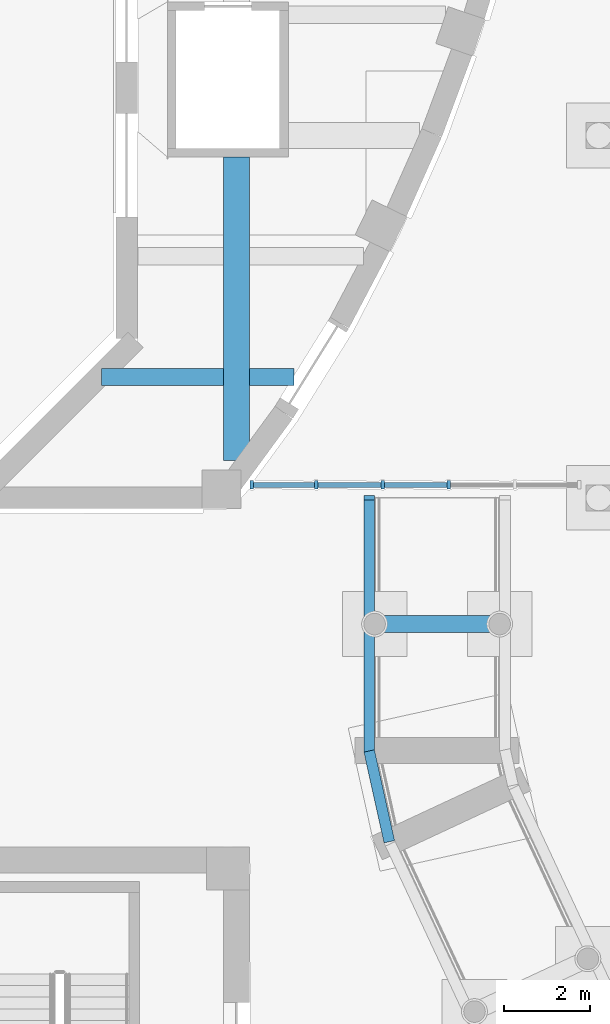
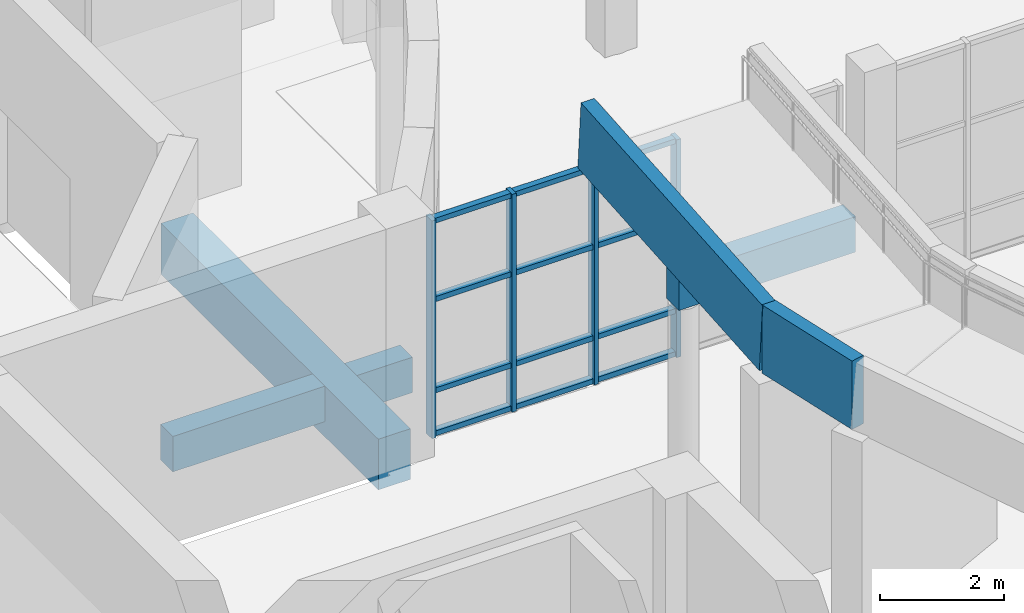
# One storey, part 17 of 110: 16 members, 6 beams, 1 element without a shape of its own.
"""IFC4 building model written with IfcOpenShell, lengths in metres."""

import ifcopenshell
import ifcopenshell.guid

model = None  # the IFC model being written
_history = None  # IfcOwnerHistory: only IFC2X3 demands one
_inside = {}  # id of a spatial element -> (the spatial element, [elements in it])
_under = {}  # id of a project, library or spatial element -> (it, [spatial elements below it])
_declared = {}  # id of a project -> (the project, [libraries it declares])
_typed = {}  # id of a type object -> (the type object, [elements of that type])
_made_of = {}  # id of a material, layer set ... -> (it, [elements and type objects made of it])


def new_model(schema):
    """Start an empty IFC model of exactly this schema.

    Asked for "IFC4X3", IfcOpenShell would pick the latest addendum, in which some entities
    have other attributes; the version numbers below select the first issue.
    IFC2X3 requires an IfcOwnerHistory on every rooted entity: one is made here for all.
    """
    global model, _history
    if schema == "IFC4X3":
        model = ifcopenshell.file(schema_version=(4, 3, 0, 0))
    else:
        model = ifcopenshell.file(schema=schema)
    _inside.clear()
    _under.clear()
    _declared.clear()
    _typed.clear()
    _made_of.clear()
    _history = None
    if model.schema == "IFC2X3":
        org = make("IfcOrganization", Name="unknown")
        user = make(
            "IfcPersonAndOrganization",
            ThePerson=make("IfcPerson", FamilyName="unknown"),
            TheOrganization=org,
        )
        app = make(
            "IfcApplication",
            ApplicationDeveloper=org,
            Version="unknown",
            ApplicationFullName="unknown",
            ApplicationIdentifier="unknown",
        )
        _history = make(
            "IfcOwnerHistory",
            OwningUser=user,
            OwningApplication=app,
            ChangeAction="ADDED",
            CreationDate=0,
        )
    return model


def make(cls, **values):
    """One entity of the class cls with the attributes given. An attribute that is None is left unset."""
    return model.create_entity(
        cls, **{name: value for name, value in values.items() if value is not None}
    )


def rooted(cls, **values):
    """An entity with a GlobalId (a new one), such as an element, a storey or a relation."""
    return make(cls, GlobalId=ifcopenshell.guid.new(), OwnerHistory=_history, **values)


def si_unit(unit_type, name, prefix=None):
    """IfcSIUnit, for example si_unit("LENGTHUNIT", "METRE", prefix="MILLI")."""
    return make("IfcSIUnit", UnitType=unit_type, Prefix=prefix, Name=name)


def assignment(units):
    """IfcUnitAssignment: the units of a project."""
    return None if units is None else make("IfcUnitAssignment", Units=units)


def point(xyz):
    """IfcCartesianPoint."""
    return None if xyz is None else make("IfcCartesianPoint", Coordinates=xyz)


def direction(xyz):
    """IfcDirection."""
    return None if xyz is None else make("IfcDirection", DirectionRatios=xyz)


def frame(location, z_axis=None, x_axis=None):
    """IfcAxis2Placement3D, a coordinate frame: its origin and axes. An axis left out is left unset."""
    return make(
        "IfcAxis2Placement3D",
        Location=point(location),
        Axis=direction(z_axis),
        RefDirection=direction(x_axis),
    )


def frame_2d(location, x_axis=None):
    """IfcAxis2Placement2D, a coordinate frame in the plane: its origin and x axis."""
    return make(
        "IfcAxis2Placement2D", Location=point(location), RefDirection=direction(x_axis)
    )


def origin():
    """The frame at (0, 0, 0) with its axes left unset."""
    return frame((0.0, 0.0, 0.0))


def origin_2d():
    """The frame at (0, 0) in the plane with its x axis left unset."""
    return frame_2d((0.0, 0.0))


def place(relative_to, where):
    """IfcLocalPlacement: puts the frame where relative to a parent placement (None: the world)."""
    return make(
        "IfcLocalPlacement", PlacementRelTo=relative_to, RelativePlacement=where
    )


def context(
    kind, dimensions, precision=None, world=None, true_north=None, identifier=None
):
    """IfcGeometricRepresentationContext, for example the 3D "Model" context."""
    return make(
        "IfcGeometricRepresentationContext",
        ContextIdentifier=identifier,
        ContextType=kind,
        CoordinateSpaceDimension=dimensions,
        Precision=precision,
        WorldCoordinateSystem=world,
        TrueNorth=true_north,
    )


def subcontext(parent, identifier, kind, view, scale=None):
    """IfcGeometricRepresentationSubContext, for example "Body" below "Model"."""
    return make(
        "IfcGeometricRepresentationSubContext",
        ContextIdentifier=identifier,
        ContextType=kind,
        ParentContext=parent,
        TargetScale=scale,
        TargetView=view,
    )


def project(units=None, contexts=None):
    """IfcProject with its units and contexts."""
    return rooted(
        "IfcProject",
        Name="project",
        RepresentationContexts=contexts,
        UnitsInContext=assignment(units),
    )


def spatial(cls, under=None, at=None, **own):
    """A site, building, storey or space (cls), placed at a placement, below another one or the project."""
    s = rooted(cls, ObjectPlacement=at, **own)
    if under is not None:
        _under.setdefault(under.id(), (under, []))[1].append(s)
    return s


def profile(cls, at=None, kind="AREA", **sizes):
    """A parametric profile (cls). Its sizes go by their IFC names, for example OverallWidth=200.0."""
    return make(cls, ProfileType=kind, Position=at, **sizes)


def rectangle(**sizes):
    """IfcRectangleProfileDef."""
    return profile("IfcRectangleProfileDef", **sizes)


def extrude(swept, where, along, depth):
    """IfcExtrudedAreaSolid: the profile swept, set in the frame where, extruded along a direction by depth."""
    return make(
        "IfcExtrudedAreaSolid",
        SweptArea=swept,
        Position=where,
        ExtrudedDirection=direction(along),
        Depth=depth,
    )


def shape(context_of_items, identifier, shape_type, items):
    """IfcShapeRepresentation: the items that make up one representation, for example the "Body"."""
    return make(
        "IfcShapeRepresentation",
        ContextOfItems=context_of_items,
        RepresentationIdentifier=identifier,
        RepresentationType=shape_type,
        Items=items,
    )


def material(Name=None, Category=None):
    """IfcMaterial."""
    return make("IfcMaterial", Name=Name, Category=Category)


def layer(
    of_material, thickness, ventilated=None, Name=None, Category=None, Priority=None
):
    """IfcMaterialLayer: one layer of a wall or slab, of a material (None: an air gap)."""
    return make(
        "IfcMaterialLayer",
        Material=of_material,
        LayerThickness=thickness,
        IsVentilated=ventilated,
        Name=Name,
        Category=Category,
        Priority=Priority,
    )


def layer_set(layers, Name=None):
    """IfcMaterialLayerSet."""
    return make("IfcMaterialLayerSet", MaterialLayers=layers, LayerSetName=Name)


def material_profile(
    of_material, cross_section, Name=None, Category=None, Priority=None
):
    """IfcMaterialProfile: a cross section and its material."""
    return make(
        "IfcMaterialProfile",
        Name=Name,
        Material=of_material,
        Profile=cross_section,
        Priority=Priority,
        Category=Category,
    )


def profile_set(profiles, Name=None, composite=None):
    """IfcMaterialProfileSet."""
    return make(
        "IfcMaterialProfileSet",
        Name=Name,
        MaterialProfiles=profiles,
        CompositeProfile=composite,
    )


def made_of(thing, what):
    """Note that an element or type object is made of a material, layer set ...; save() writes the relation."""
    if what is not None:
        _made_of.setdefault(what.id(), (what, []))[1].append(thing)
    return thing


def type_object(cls, material=None, **own):
    """A type object (cls), such as IfcWallType, which elements share."""
    return made_of(rooted(cls, **own), material)


def element(
    cls,
    number,
    at=None,
    inside=None,
    cuts=None,
    type_object=None,
    material=None,
    context=None,
    identifier="Body",
    shape_type=None,
    held_by="IfcProductDefinitionShape",
    body=None,
    shapes=None,
    **own,
):
    """One element of the class cls, such as IfcWall. Its Tag is "e" and its number.

    at: its placement. inside: the storey or other place that contains it. cuts: it is an
    opening in that element (IfcRelVoidsElement). A single representation is given by context,
    identifier, shape_type and body (its items); several are given by shapes. held_by: the class
    of the entity that holds the representations. save() writes the other relations.
    """
    e = rooted(cls, Tag="e%d" % number, ObjectPlacement=at, **own)
    if body is not None:
        shapes = [shape(context, identifier, shape_type, body)]
    if shapes is not None:
        e.Representation = make(held_by, Representations=shapes)
    if inside is not None:
        _inside.setdefault(inside.id(), (inside, []))[1].append(e)
    if cuts is not None:
        rooted(
            "IfcRelVoidsElement", RelatingBuildingElement=cuts, RelatedOpeningElement=e
        )
    if type_object is not None:
        _typed.setdefault(type_object.id(), (type_object, []))[1].append(e)
    return made_of(e, material)


def aggregate(whole, parts):
    """IfcRelAggregates: a whole, such as a stair, and the parts it consists of."""
    return rooted("IfcRelAggregates", RelatingObject=whole, RelatedObjects=parts)


def save(model, path):
    """Write the relations noted so far, then the file.

    IfcRelAggregates (storeys below a building ...), IfcRelContainedInSpatialStructure (elements
    in a storey), IfcRelDefinesByType, IfcRelAssociatesMaterial and IfcRelDeclares: one each for
    every whole, place, type object, material and project.
    """
    for whole, parts in _under.values():
        aggregate(whole, parts)
    for where, things in _inside.values():
        rooted(
            "IfcRelContainedInSpatialStructure",
            RelatedElements=things,
            RelatingStructure=where,
        )
    for kind, things in _typed.values():
        rooted("IfcRelDefinesByType", RelatedObjects=things, RelatingType=kind)
    for what, things in _made_of.values():
        rooted("IfcRelAssociatesMaterial", RelatedObjects=things, RelatingMaterial=what)
    for by, libraries in _declared.values():
        rooted("IfcRelDeclares", RelatingContext=by, RelatedDefinitions=libraries)
    model.write(path)


model = new_model("IFC4")

# Units and contexts
model_context = context("Model", 3, precision=1e-05, world=origin(), true_north=direction((0.0, 1.0)))
body_context = subcontext(model_context, "Body", "Model", "MODEL_VIEW")
ifc_project = project(units=[si_unit("LENGTHUNIT", "METRE"), si_unit("AREAUNIT", "SQUARE_METRE"), si_unit("VOLUMEUNIT", "CUBIC_METRE"), si_unit("PLANEANGLEUNIT", "RADIAN"), si_unit("MASSUNIT", "GRAM", prefix="KILO")], contexts=[model_context])

# Site, building, storey
site_placement = place(None, origin())
site = spatial("IfcSite", under=ifc_project, at=site_placement, CompositionType="ELEMENT")
building_placement = place(site_placement, origin())
building = spatial("IfcBuilding", under=site, at=building_placement, Name="Larchfold Concert Hall", CompositionType="ELEMENT")
storey_placement = place(building_placement, origin())
storey = spatial("IfcBuildingStorey", under=building, at=storey_placement, Name="L00", CompositionType="ELEMENT", Elevation=0.0)

# Curtain wall, members
ifc_material_1 = material(Name="Anodised graphite aluminium curtain wall", Category="aluminium")
ifc_layer = layer(ifc_material_1, 0.199951171875)
ifc_layer_set = layer_set([ifc_layer], Name="Anodised graphite aluminium curtain wall")
curtain_wall_type = type_object("IfcCurtainWallType", Name="Curtain wall PO", PredefinedType="NOTDEFINED", material=ifc_layer_set)
curtain_wall_placement = place(storey_placement, origin())
curtain_wall = element("IfcCurtainWall", 1, at=curtain_wall_placement, inside=storey, type_object=curtain_wall_type, Name="Curtain wall CW0292", PredefinedType="NOTDEFINED")
ifc_material_2 = material(Name="Anodised graphite aluminium mullion", Category="aluminium")
ifc_material_profile_1 = material_profile(ifc_material_2, rectangle(XDim=0.199951171875, YDim=0.080078125, at=origin_2d()))
ifc_profile_set_1 = profile_set([ifc_material_profile_1], Name="Anodised graphite aluminium mullion")
member_type_1 = type_object("IfcMemberType", Name="Aluminium mullion 80x200", PredefinedType="MULLION", material=ifc_profile_set_1)
member_1_placement = place(storey_placement, frame((59.753173828125, 59.699951171875, 0.0), z_axis=(0.0, 0.0, 1.0), x_axis=(0.0, 1.0, 0.0)))
member_1 = element("IfcMember", 2, at=member_1_placement, type_object=member_type_1, Name="CW0292 mullion 1", PredefinedType="MULLION", context=body_context, shape_type="SweptSolid", body=[
    extrude(rectangle(XDim=0.199951171875, YDim=0.080078125, at=origin_2d()), origin(), (0.0, 0.0, 1.0), 4.300048828125),
])
member_2_placement = place(storey_placement, frame((61.24853515625, 59.699951171875, 0.0), z_axis=(0.0, 0.0, 1.0), x_axis=(0.0, 1.0, 0.0)))
member_2 = element("IfcMember", 3, at=member_2_placement, type_object=member_type_1, Name="CW0292 mullion 2", PredefinedType="MULLION", context=body_context, shape_type="SweptSolid", body=[
    extrude(rectangle(XDim=0.199951171875, YDim=0.080078125, at=origin_2d()), origin(), (0.0, 0.0, 1.0), 4.300048828125),
])
member_3_placement = place(storey_placement, frame((62.783935546875, 59.699951171875, 0.0), z_axis=(0.0, 0.0, 1.0), x_axis=(0.0, 1.0, 0.0)))
member_3 = element("IfcMember", 4, at=member_3_placement, type_object=member_type_1, Name="CW0292 mullion 3", PredefinedType="MULLION", context=body_context, shape_type="SweptSolid", body=[
    extrude(rectangle(XDim=0.199951171875, YDim=0.080078125, at=origin_2d()), origin(), (0.0, 0.0, 1.0), 4.300048828125),
])
member_4_placement = place(storey_placement, frame((64.3193359375, 59.699951171875, 0.0), z_axis=(0.0, 0.0, 1.0), x_axis=(0.0, 1.0, 0.0)))
member_4 = element("IfcMember", 5, at=member_4_placement, type_object=member_type_1, Name="CW0292 mullion 4", PredefinedType="MULLION", context=body_context, shape_type="SweptSolid", body=[
    extrude(rectangle(XDim=0.199951171875, YDim=0.080078125, at=origin_2d()), origin(), (0.0, 0.0, 1.0), 4.300048828125),
])
ifc_material_3 = material(Name="Anodised graphite aluminium transom", Category="aluminium")
ifc_material_profile_2 = material_profile(ifc_material_3, rectangle(XDim=0.1201171875, YDim=0.10009765625, at=origin_2d()))
ifc_profile_set_2 = profile_set([ifc_material_profile_2], Name="Anodised graphite aluminium transom")
member_type_2 = type_object("IfcMemberType", Name="Aluminium transom 100x120", PredefinedType="USERDEFINED", material=ifc_profile_set_2)
member_5_placement = place(storey_placement, frame((59.793212890625, 59.699951171875, 0.050048828125), z_axis=(1.0, 0.0, 0.0), x_axis=(0.0, 1.0, 0.0)))
member_5 = element("IfcMember", 6, at=member_5_placement, type_object=member_type_2, Name="CW0292 transom 1.1", ObjectType="TRANSOM", PredefinedType="USERDEFINED", context=body_context, shape_type="SweptSolid", body=[
    extrude(rectangle(XDim=0.1201171875, YDim=0.10009765625, at=origin_2d()), origin(), (0.0, 0.0, 1.0), 1.415283203125),
])
member_6_placement = place(storey_placement, frame((59.793212890625, 59.699951171875, 0.89990234375), z_axis=(1.0, 0.0, 0.0), x_axis=(0.0, 1.0, 0.0)))
member_6 = element("IfcMember", 7, at=member_6_placement, type_object=member_type_2, Name="CW0292 transom 1.2", ObjectType="TRANSOM", PredefinedType="USERDEFINED", context=body_context, shape_type="SweptSolid", body=[
    extrude(rectangle(XDim=0.1201171875, YDim=0.10009765625, at=origin_2d()), origin(), (0.0, 0.0, 1.0), 1.415283203125),
])
member_7_placement = place(storey_placement, frame((59.793212890625, 59.699951171875, 2.699951171875), z_axis=(1.0, 0.0, 0.0), x_axis=(0.0, 1.0, 0.0)))
member_7 = element("IfcMember", 8, at=member_7_placement, type_object=member_type_2, Name="CW0292 transom 1.3", ObjectType="TRANSOM", PredefinedType="USERDEFINED", context=body_context, shape_type="SweptSolid", body=[
    extrude(rectangle(XDim=0.1201171875, YDim=0.10009765625, at=origin_2d()), origin(), (0.0, 0.0, 1.0), 1.415283203125),
])
member_8_placement = place(storey_placement, frame((59.793212890625, 59.699951171875, 4.25), z_axis=(1.0, 0.0, 0.0), x_axis=(0.0, 1.0, 0.0)))
member_8 = element("IfcMember", 9, at=member_8_placement, type_object=member_type_2, Name="CW0292 transom 1.4", ObjectType="TRANSOM", PredefinedType="USERDEFINED", context=body_context, shape_type="SweptSolid", body=[
    extrude(rectangle(XDim=0.1201171875, YDim=0.10009765625, at=origin_2d()), origin(), (0.0, 0.0, 1.0), 1.415283203125),
])
member_9_placement = place(storey_placement, frame((61.28857421875, 59.699951171875, 0.050048828125), z_axis=(1.0, 0.0, 0.0), x_axis=(0.0, 1.0, 0.0)))
member_9 = element("IfcMember", 10, at=member_9_placement, type_object=member_type_2, Name="CW0292 transom 2.1", ObjectType="TRANSOM", PredefinedType="USERDEFINED", context=body_context, shape_type="SweptSolid", body=[
    extrude(rectangle(XDim=0.1201171875, YDim=0.10009765625, at=origin_2d()), origin(), (0.0, 0.0, 1.0), 1.455322265625),
])
member_10_placement = place(storey_placement, frame((61.28857421875, 59.699951171875, 0.89990234375), z_axis=(1.0, 0.0, 0.0), x_axis=(0.0, 1.0, 0.0)))
member_10 = element("IfcMember", 11, at=member_10_placement, type_object=member_type_2, Name="CW0292 transom 2.2", ObjectType="TRANSOM", PredefinedType="USERDEFINED", context=body_context, shape_type="SweptSolid", body=[
    extrude(rectangle(XDim=0.1201171875, YDim=0.10009765625, at=origin_2d()), origin(), (0.0, 0.0, 1.0), 1.455322265625),
])
member_11_placement = place(storey_placement, frame((61.28857421875, 59.699951171875, 2.699951171875), z_axis=(1.0, 0.0, 0.0), x_axis=(0.0, 1.0, 0.0)))
member_11 = element("IfcMember", 12, at=member_11_placement, type_object=member_type_2, Name="CW0292 transom 2.3", ObjectType="TRANSOM", PredefinedType="USERDEFINED", context=body_context, shape_type="SweptSolid", body=[
    extrude(rectangle(XDim=0.1201171875, YDim=0.10009765625, at=origin_2d()), origin(), (0.0, 0.0, 1.0), 1.455322265625),
])
member_12_placement = place(storey_placement, frame((61.28857421875, 59.699951171875, 4.25), z_axis=(1.0, 0.0, 0.0), x_axis=(0.0, 1.0, 0.0)))
member_12 = element("IfcMember", 13, at=member_12_placement, type_object=member_type_2, Name="CW0292 transom 2.4", ObjectType="TRANSOM", PredefinedType="USERDEFINED", context=body_context, shape_type="SweptSolid", body=[
    extrude(rectangle(XDim=0.1201171875, YDim=0.10009765625, at=origin_2d()), origin(), (0.0, 0.0, 1.0), 1.455322265625),
])
member_13_placement = place(storey_placement, frame((62.823974609375, 59.699951171875, 0.050048828125), z_axis=(1.0, 0.0, 0.0), x_axis=(0.0, 1.0, 0.0)))
member_13 = element("IfcMember", 14, at=member_13_placement, type_object=member_type_2, Name="CW0292 transom 3.1", ObjectType="TRANSOM", PredefinedType="USERDEFINED", context=body_context, shape_type="SweptSolid", body=[
    extrude(rectangle(XDim=0.1201171875, YDim=0.10009765625, at=origin_2d()), origin(), (0.0, 0.0, 1.0), 1.455322265625),
])
member_14_placement = place(storey_placement, frame((62.823974609375, 59.699951171875, 0.89990234375), z_axis=(1.0, 0.0, 0.0), x_axis=(0.0, 1.0, 0.0)))
member_14 = element("IfcMember", 15, at=member_14_placement, type_object=member_type_2, Name="CW0292 transom 3.2", ObjectType="TRANSOM", PredefinedType="USERDEFINED", context=body_context, shape_type="SweptSolid", body=[
    extrude(rectangle(XDim=0.1201171875, YDim=0.10009765625, at=origin_2d()), origin(), (0.0, 0.0, 1.0), 1.455322265625),
])
member_15_placement = place(storey_placement, frame((62.823974609375, 59.699951171875, 2.699951171875), z_axis=(1.0, 0.0, 0.0), x_axis=(0.0, 1.0, 0.0)))
member_15 = element("IfcMember", 16, at=member_15_placement, type_object=member_type_2, Name="CW0292 transom 3.3", ObjectType="TRANSOM", PredefinedType="USERDEFINED", context=body_context, shape_type="SweptSolid", body=[
    extrude(rectangle(XDim=0.1201171875, YDim=0.10009765625, at=origin_2d()), origin(), (0.0, 0.0, 1.0), 1.455322265625),
])
member_16_placement = place(storey_placement, frame((62.823974609375, 59.699951171875, 4.25), z_axis=(1.0, 0.0, 0.0), x_axis=(0.0, 1.0, 0.0)))
member_16 = element("IfcMember", 17, at=member_16_placement, type_object=member_type_2, Name="CW0292 transom 3.4", ObjectType="TRANSOM", PredefinedType="USERDEFINED", context=body_context, shape_type="SweptSolid", body=[
    extrude(rectangle(XDim=0.1201171875, YDim=0.10009765625, at=origin_2d()), origin(), (0.0, 0.0, 1.0), 1.455322265625),
])
aggregate(curtain_wall, [member_1, member_2, member_3, member_4, member_5, member_6, member_7, member_8, member_9, member_10, member_11, member_12, member_13, member_14, member_15, member_16])

# Beams
ifc_material_4 = material(Name="Concrete C35/45", Category="concrete")
ifc_material_profile_3 = material_profile(ifc_material_4, rectangle(XDim=0.25, YDim=1.35009765625, at=origin_2d()))
ifc_profile_set_3 = profile_set([ifc_material_profile_3], Name="Concrete C35/45")
beam_type_1 = type_object("IfcBeamType", Name="Beam RC 250x1350", PredefinedType="BEAM", material=ifc_profile_set_3)
beam_1_placement = place(storey_placement, frame((62.94140625, 51.426025390625, 4.7451171875), z_axis=(-0.216462686415, 0.976290891789, 0.0), x_axis=(-0.976290891789, -0.216462686415, 0.0)))
element("IfcBeam", 18, at=beam_1_placement, inside=storey, type_object=beam_type_1, Name="Beam RG2119", PredefinedType="BEAM", context=body_context, shape_type="SweptSolid", body=[
    extrude(rectangle(XDim=0.25, YDim=1.35009765625, at=origin_2d()), origin(), (0.0, 0.0, 1.0), 2.1552734375),
])
beam_2_placement = place(storey_placement, frame((62.474853515625, 53.5302734375, 4.7451171875), z_axis=(0.0, 0.997140699612, 0.075567355241), x_axis=(-1.0, 0.0, 0.0)))
element("IfcBeam", 19, at=beam_2_placement, inside=storey, type_object=beam_type_1, Name="Beam RG2120", PredefinedType="BEAM", context=body_context, shape_type="SweptSolid", body=[
    extrude(rectangle(XDim=0.25, YDim=1.35009765625, at=origin_2d()), origin(), (0.0, 0.0, 1.0), 5.886474609375),
])
ifc_material_5 = material(Name="Concrete C35/45", Category="concrete")
ifc_material_profile_4 = material_profile(ifc_material_5, rectangle(XDim=0.39990234375, YDim=0.699951171875, at=origin_2d()))
ifc_profile_set_4 = profile_set([ifc_material_profile_4], Name="Concrete C35/45")
beam_type_2 = type_object("IfcBeamType", Name="Beam RC 400x700", PredefinedType="BEAM", material=ifc_profile_set_4)
beam_3_placement = place(storey_placement, frame((56.26416015625, 62.199951171875, -0.550048828125), z_axis=(1.0, 0.0, 0.0), x_axis=(0.0, 1.0, 0.0)))
element("IfcBeam", 20, at=beam_3_placement, inside=storey, type_object=beam_type_2, Name="Beam B1137", PredefinedType="BEAM", context=body_context, shape_type="SweptSolid", body=[
    extrude(rectangle(XDim=0.39990234375, YDim=0.699951171875, at=origin_2d()), origin(), (0.0, 0.0, 1.0), 2.8359375),
])
beam_4_placement = place(storey_placement, frame((59.699951171875, 62.199951171875, -0.550048828125), z_axis=(1.0, 0.0, 0.0), x_axis=(0.0, 1.0, 0.0)))
element("IfcBeam", 21, at=beam_4_placement, inside=storey, type_object=beam_type_2, Name="Beam B1138", PredefinedType="BEAM", context=body_context, shape_type="SweptSolid", body=[
    extrude(rectangle(XDim=0.39990234375, YDim=0.699951171875, at=origin_2d()), origin(), (0.0, 0.0, 1.0), 1.03515625),
])
beam_5_placement = place(storey_placement, frame((62.39990234375, 56.471923828125, 3.9599609375), z_axis=(1.0, 0.0, 0.0), x_axis=(0.0, 1.0, 0.0)))
element("IfcBeam", 22, at=beam_5_placement, inside=storey, type_object=beam_type_2, Name="Beam RB1865", PredefinedType="BEAM", context=body_context, shape_type="SweptSolid", body=[
    extrude(rectangle(XDim=0.39990234375, YDim=0.699951171875, at=origin_2d()), origin(), (0.0, 0.0, 1.0), 3.2998046875),
])
ifc_material_6 = material(Name="Concrete C35/45", Category="concrete")
ifc_material_profile_5 = material_profile(ifc_material_6, rectangle(XDim=0.60009765625, YDim=1.0, at=origin_2d()))
ifc_profile_set_5 = profile_set([ifc_material_profile_5], Name="Concrete C35/45")
beam_type_3 = type_object("IfcBeamType", Name="Beam RC 600x1000", PredefinedType="BEAM", material=ifc_profile_set_5)
beam_6_placement = place(storey_placement, frame((59.39990234375, 60.27099609375, -0.699951171875), z_axis=(0.0, 1.0, 0.0), x_axis=(-1.0, 0.0, 0.0)))
element("IfcBeam", 23, at=beam_6_placement, inside=storey, type_object=beam_type_3, Name="Beam B1116", PredefinedType="BEAM", context=body_context, shape_type="SweptSolid", body=[
    extrude(rectangle(XDim=0.60009765625, YDim=1.0, at=origin_2d()), origin(), (0.0, 0.0, 1.0), 7.029052734375),
])

save(model, "model.ifc")
